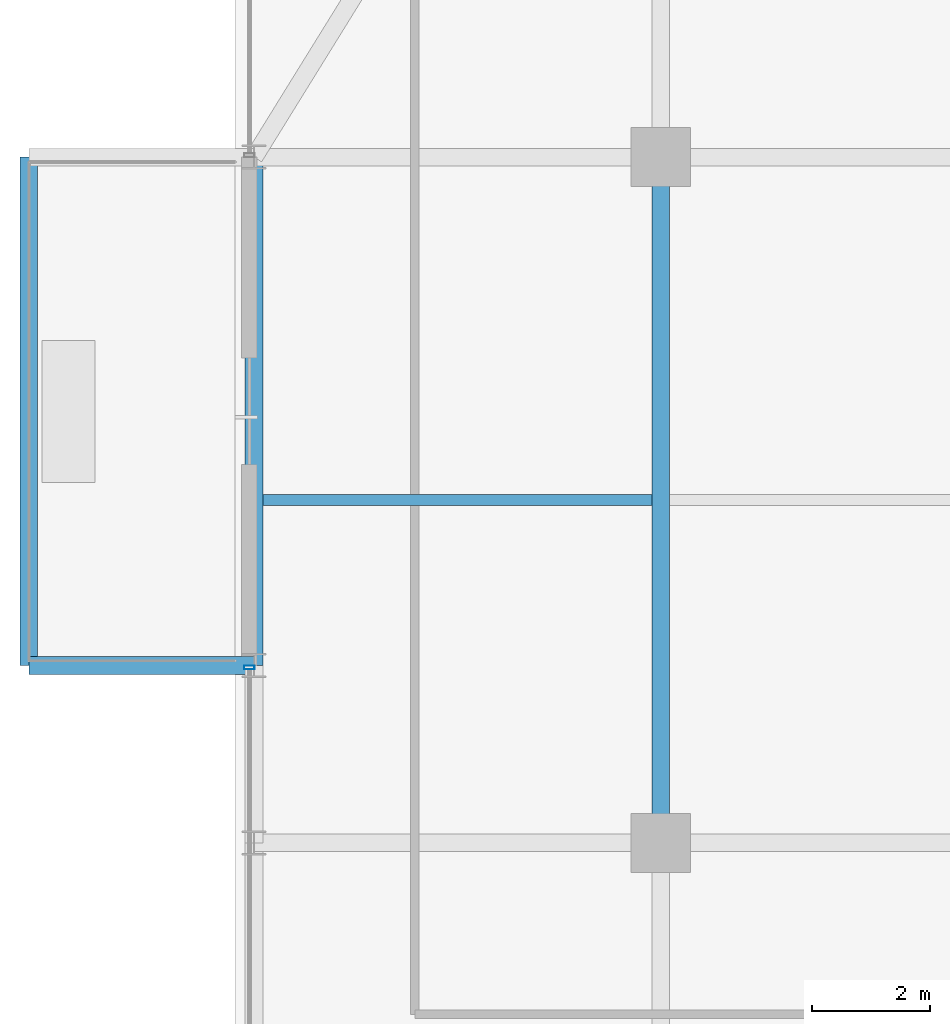
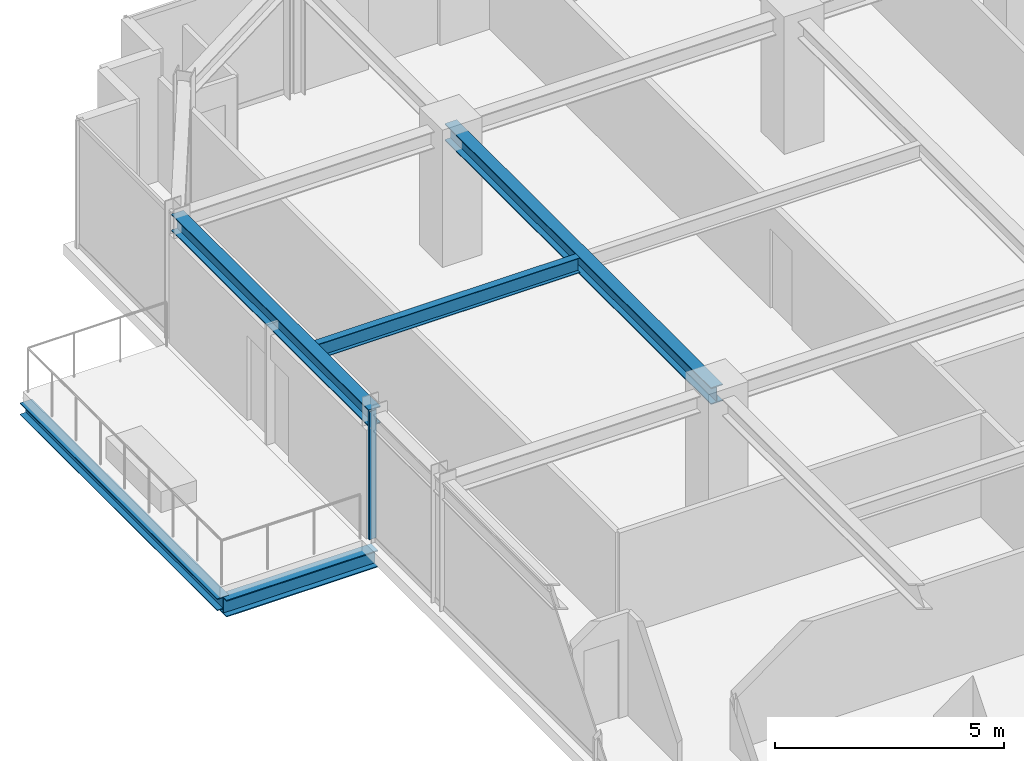
# One storey, part 18 of 36: 5 beams, 1 member, 1 element without a shape of its own.
"""IFC4 building model written with IfcOpenShell, lengths in metres."""

from ifc_helpers import new_model, si_unit, direction, frame, origin, origin_2d, place, context, subcontext, project, spatial, hollow_rectangle, i_section, extrude, source, transform, mapped, material, material_profile, profile_set, type_object, element, aggregate, save


model = new_model("IFC4")

# Units and contexts
model_context = context("Model", 3, precision=1e-05, world=origin(), true_north=direction((0.0, 1.0)))
body_context = subcontext(model_context, "Body", "Model", "MODEL_VIEW")
ifc_project = project(units=[si_unit("LENGTHUNIT", "METRE"), si_unit("AREAUNIT", "SQUARE_METRE"), si_unit("VOLUMEUNIT", "CUBIC_METRE"), si_unit("PLANEANGLEUNIT", "RADIAN"), si_unit("MASSUNIT", "GRAM", prefix="KILO")], contexts=[model_context])

# Site, building, storey
site_placement = place(None, origin())
site = spatial("IfcSite", under=ifc_project, at=site_placement, CompositionType="ELEMENT")
building_placement = place(site_placement, origin())
building = spatial("IfcBuilding", under=site, at=building_placement, Name="Nahalor Promenade Grand Hotel", CompositionType="ELEMENT")
storey_placement = place(building_placement, frame((0.0, 0.0, 212.300048828125)))
storey = spatial("IfcBuildingStorey", under=building, at=storey_placement, Name="L54", CompositionType="ELEMENT", Elevation=212.300048828125)

# Beams
ifc_material_1 = material(Name="Steel S355JR", Category="steel")
ifc_material_profile_1 = material_profile(ifc_material_1, i_section(OverallWidth=0.3, OverallDepth=0.32, WebThickness=0.0115, FlangeThickness=0.0205, at=origin_2d()), Name="HEB 320")
ifc_profile_set_1 = profile_set([ifc_material_profile_1], Name="Steel S355JR")
beam_type_1 = type_object("IfcBeamType", Name="Beam-BalcEdge-HEB320", PredefinedType="SPANDREL", material=ifc_profile_set_1)
shared_shape_1 = source(origin(), body_context, "Body", "SweptSolid", [
    extrude(i_section(OverallWidth=0.3, OverallDepth=0.32, WebThickness=0.0115, FlangeThickness=0.0205, at=origin_2d()), origin(), (0.0, 0.0, 1.0), 8.60009765625),
])
beam_1_placement = place(storey_placement, frame((-27.68994140625, 8.39990234375, -0.43994140625), z_axis=(0.0, 1.0, 0.0), x_axis=(-1.0, 0.0, 0.0)))
element("IfcBeam", 1, at=beam_1_placement, inside=storey, type_object=beam_type_1, Name="BM-L54-BC-02-F", PredefinedType="SPANDREL", context=body_context, shape_type="MappedRepresentation", body=[
    mapped(shared_shape_1, transform((0.0, 0.0, 0.0), scale=1.0)),
])
ifc_material_profile_2 = material_profile(ifc_material_1, i_section(OverallWidth=0.3, OverallDepth=0.45, WebThickness=0.014, FlangeThickness=0.026, at=origin_2d()), Name="HEB 450")
ifc_profile_set_2 = profile_set([ifc_material_profile_2], Name="Steel S355JR")
beam_type_2 = type_object("IfcBeamType", Name="Beam-Outrigger-HEB450", PredefinedType="BEAM", material=ifc_profile_set_2)
shared_shape_2 = source(origin(), body_context, "Body", "SweptSolid", [
    extrude(i_section(OverallWidth=0.3, OverallDepth=0.45, WebThickness=0.014, FlangeThickness=0.026, at=origin_2d()), origin(), (0.0, 0.0, 1.0), 3.81005859375),
])
beam_2_placement = place(storey_placement, frame((-27.68994140625, 8.39990234375, -0.505126953125), z_axis=(1.0, 0.0, 0.0), x_axis=(0.0, 1.0, 0.0)))
element("IfcBeam", 2, at=beam_2_placement, inside=storey, type_object=beam_type_2, Name="BM-L54-BC-02-1", PredefinedType="BEAM", context=body_context, shape_type="MappedRepresentation", body=[
    mapped(shared_shape_2, transform((0.0, 0.0, 0.0), scale=1.0)),
])
ifc_material_profile_3 = material_profile(ifc_material_1, i_section(OverallWidth=0.3, OverallDepth=0.45, WebThickness=0.014, FlangeThickness=0.026, at=origin_2d()), Name="HEB 450")
ifc_profile_set_3 = profile_set([ifc_material_profile_3], Name="Steel S355JR")
beam_type_3 = type_object("IfcBeamType", Name="Beam-Spandrel-HEB450", PredefinedType="SPANDREL", material=ifc_profile_set_3)
shared_shape_3 = source(origin(), body_context, "Body", "SweptSolid", [
    extrude(i_section(OverallWidth=0.3, OverallDepth=0.45, WebThickness=0.014, FlangeThickness=0.026, at=origin_2d()), origin(), (0.0, 0.0, 1.0), 8.60009765625),
])
beam_3_placement = place(storey_placement, frame((-23.8798828125, 8.39990234375, 3.18505859375), z_axis=(0.0, 1.0, 0.0), x_axis=(-1.0, 0.0, 0.0)))
element("IfcBeam", 3, at=beam_3_placement, inside=storey, type_object=beam_type_3, Name="BM-L54-SP-W-4", PredefinedType="SPANDREL", context=body_context, shape_type="MappedRepresentation", body=[
    mapped(shared_shape_3, transform((0.0, 0.0, 0.0), scale=1.0)),
])
ifc_material_profile_4 = material_profile(ifc_material_1, i_section(OverallWidth=0.3, OverallDepth=0.45, WebThickness=0.014, FlangeThickness=0.026, at=origin_2d()), Name="HEB 450")
ifc_profile_set_4 = profile_set([ifc_material_profile_4], Name="Steel S355JR")
beam_type_4 = type_object("IfcBeamType", Name="Beam-Girder-HEB450", PredefinedType="BEAM", material=ifc_profile_set_4)
shared_shape_4 = source(origin(), body_context, "Body", "SweptSolid", [
    extrude(i_section(OverallWidth=0.3, OverallDepth=0.45, WebThickness=0.014, FlangeThickness=0.026, at=origin_2d()), origin(), (0.0, 0.0, 1.0), 11.60009765625),
])
beam_4_placement = place(storey_placement, frame((-17.0, 5.39990234375, 3.18505859375), z_axis=(0.0, 1.0, 0.0), x_axis=(-1.0, 0.0, 0.0)))
element("IfcBeam", 4, at=beam_4_placement, inside=storey, type_object=beam_type_4, Name="BM-L54-GY-0-3", PredefinedType="BEAM", context=body_context, shape_type="MappedRepresentation", body=[
    mapped(shared_shape_4, transform((0.0, 0.0, 0.0), scale=1.0)),
])
ifc_material_profile_5 = material_profile(ifc_material_1, i_section(OverallWidth=0.18, OverallDepth=0.4, WebThickness=0.0086, FlangeThickness=0.0135, at=origin_2d()), Name="IPE 400")
ifc_profile_set_5 = profile_set([ifc_material_profile_5], Name="Steel S355JR")
beam_type_5 = type_object("IfcBeamType", Name="Beam-Joist-IPE400", PredefinedType="JOIST", material=ifc_profile_set_5)
shared_shape_5 = source(origin(), body_context, "Body", "SweptSolid", [
    extrude(i_section(OverallWidth=0.18, OverallDepth=0.4, WebThickness=0.0086, FlangeThickness=0.0135, at=origin_2d()), origin(), (0.0, 0.0, 1.0), 6.580078125),
])
beam_5_placement = place(storey_placement, frame((-23.72998046875, 11.199951171875, 3.2099609375), z_axis=(1.0, 0.0, 0.0), x_axis=(0.0, 1.0, 0.0)))
element("IfcBeam", 5, at=beam_5_placement, inside=storey, type_object=beam_type_5, Name="BM-L54-JSW-1-0", PredefinedType="JOIST", context=body_context, shape_type="MappedRepresentation", body=[
    mapped(shared_shape_5, transform((0.0, 0.0, 0.0), scale=1.0)),
])

# Curtain wall, member
ifc_material_2 = material(Name="Anodised Bronze Aluminium EN AW-6063 T6", Category="aluminium")
curtain_wall_type = type_object("IfcCurtainWallType", Name="CW2 Typical Hotel Flush Bronze Unitised Curtain Wall", PredefinedType="USERDEFINED", material=ifc_material_2)
curtain_wall_placement = place(storey_placement, origin())
curtain_wall = element("IfcCurtainWall", 6, at=curtain_wall_placement, inside=storey, type_object=curtain_wall_type, Name="L54 Curtain Wall CW-L54-W-1", ObjectType="UNITISED_CURTAIN_WALL", PredefinedType="USERDEFINED")
ifc_material_profile_6 = material_profile(ifc_material_2, hollow_rectangle(XDim=0.065, YDim=0.18, WallThickness=0.004, at=origin_2d()), Name="CWM 65x180x4")
ifc_profile_set_6 = profile_set([ifc_material_profile_6], Name="Anodised Bronze Aluminium EN AW-6063 T6")
member_type = type_object("IfcMemberType", Name="CWM2 Typical Bronze Mullion 65x180", PredefinedType="MULLION", material=ifc_profile_set_6)
shared_shape_6 = source(origin(), body_context, "Body", "SweptSolid", [
    extrude(hollow_rectangle(XDim=0.065, YDim=0.18, WallThickness=0.004, at=origin_2d()), origin(), (0.0, 0.0, 1.0), 3.409912109375),
])
member_placement = place(storey_placement, frame((-23.9599609375, 8.367431640625, 0.0), z_axis=(0.0, 0.0, 1.0), x_axis=(0.0, 1.0, 0.0)))
member = element("IfcMember", 7, at=member_placement, type_object=member_type, Name="CW-L54-W-1 Mullion 3", PredefinedType="MULLION", context=body_context, shape_type="MappedRepresentation", body=[
    mapped(shared_shape_6, transform((0.0, 0.0, 0.0), scale=1.0)),
])
aggregate(curtain_wall, [member])

save(model, "model.ifc")
